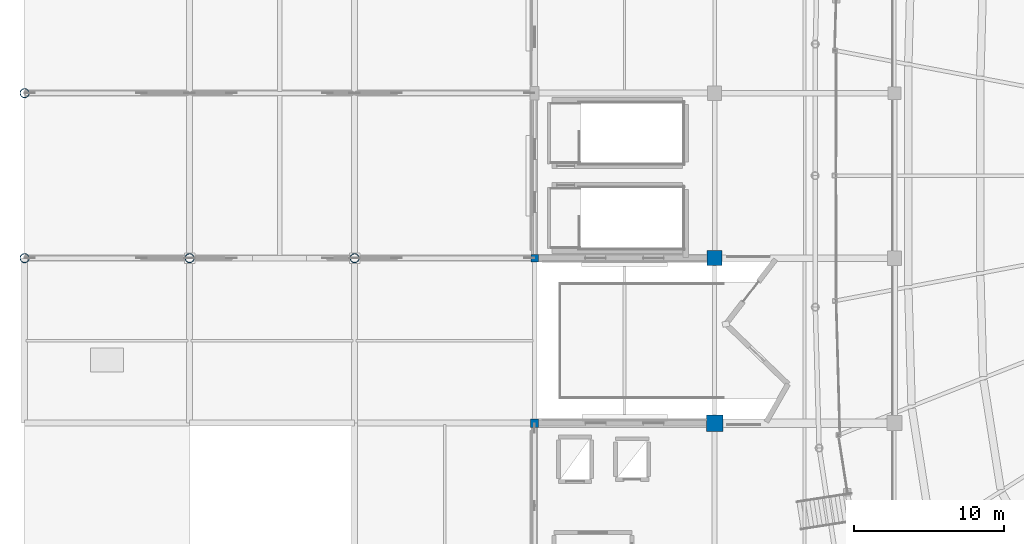
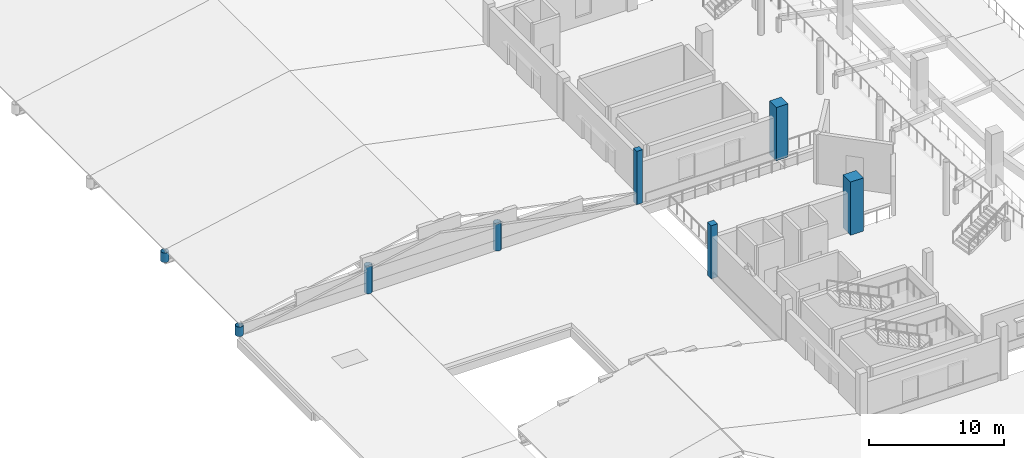
# One storey, part 3 of 77: 8 columns.
"""IFC4 building model written with IfcOpenShell, lengths in metres."""

from ifc_helpers import new_model, si_unit, direction, frame, origin, origin_2d, place, context, subcontext, project, spatial, rectangle, hollow_circle, extrude, material, material_profile, profile_set, type_object, element, save


model = new_model("IFC4")

# Units and contexts
model_context = context("Model", 3, precision=1e-05, world=origin(), true_north=direction((0.0, 1.0)))
body_context = subcontext(model_context, "Body", "Model", "MODEL_VIEW")
ifc_project = project(units=[si_unit("LENGTHUNIT", "METRE"), si_unit("AREAUNIT", "SQUARE_METRE"), si_unit("VOLUMEUNIT", "CUBIC_METRE"), si_unit("PLANEANGLEUNIT", "RADIAN"), si_unit("MASSUNIT", "GRAM", prefix="KILO")], contexts=[model_context])

# Site, building, storey
site_placement = place(None, origin())
site = spatial("IfcSite", under=ifc_project, at=site_placement, CompositionType="ELEMENT")
building_placement = place(site_placement, origin())
building = spatial("IfcBuilding", under=site, at=building_placement, Name="Luwafu Chhajja Arena", CompositionType="ELEMENT")
storey_placement = place(building_placement, frame((0.0, 0.0, 14.699951171875)))
storey = spatial("IfcBuildingStorey", under=building, at=storey_placement, Name="L03", CompositionType="ELEMENT", Elevation=14.699951171875)

# Columns
ifc_material_1 = material(Name="Concrete C40/50", Category="concrete")
ifc_material_profile_1 = material_profile(ifc_material_1, rectangle(XDim=1.0, YDim=1.0, at=origin_2d()), Name="RC 1000x1000")
ifc_profile_set_1 = profile_set([ifc_material_profile_1], Name="Concrete C40/50")
column_type_1 = type_object("IfcColumnType", Name="Bowl Primary Column RC 1000", PredefinedType="COLUMN", material=ifc_profile_set_1)
column_1_placement = place(storey_placement, frame((46.0, 44.0, 0.0), z_axis=(0.0, 0.0, 1.0), x_axis=(1.0, 0.0, 0.0)))
element("IfcColumn", 1, at=column_1_placement, inside=storey, type_object=column_type_1, Name="L03 Grid Column 5/E", PredefinedType="COLUMN", context=body_context, shape_type="SweptSolid", body=[
    extrude(rectangle(XDim=1.0, YDim=1.0, at=origin_2d()), origin(), (0.0, 0.0, 1.0), 4.800048828125),
])
ifc_material_profile_2 = material_profile(ifc_material_1, rectangle(XDim=1.10009765625, YDim=1.10009765625, at=origin_2d()), Name="RC 1100x1100")
ifc_profile_set_2 = profile_set([ifc_material_profile_2], Name="Concrete C40/50")
column_type_2 = type_object("IfcColumnType", Name="Bowl Rim Mega Column RC 1100", PredefinedType="COLUMN", material=ifc_profile_set_2)
column_2_placement = place(storey_placement, frame((46.0, 33.0, 0.0), z_axis=(0.0, 0.0, 1.0), x_axis=(1.0, 0.0, 0.0)))
element("IfcColumn", 2, at=column_2_placement, inside=storey, type_object=column_type_2, Name="L03 Grid Column 5/D", PredefinedType="COLUMN", context=body_context, shape_type="SweptSolid", body=[
    extrude(rectangle(XDim=1.10009765625, YDim=1.10009765625, at=origin_2d()), origin(), (0.0, 0.0, 1.0), 4.800048828125),
])
ifc_material_2 = material(Name="Concrete C35/45", Category="concrete")
ifc_material_profile_3 = material_profile(ifc_material_2, rectangle(XDim=0.550048828125, YDim=0.550048828125, at=origin_2d()), Name="RC 550x550")
ifc_profile_set_3 = profile_set([ifc_material_profile_3], Name="Concrete C35/45")
column_type_3 = type_object("IfcColumnType", Name="Gallery Column RC 550", PredefinedType="COLUMN", material=ifc_profile_set_3)
column_3_placement = place(storey_placement, frame((34.0, 33.0, 0.0), z_axis=(0.0, 0.0, 1.0), x_axis=(1.0, 0.0, 0.0)))
element("IfcColumn", 3, at=column_3_placement, inside=storey, type_object=column_type_3, Name="L03 Grid Column 4/D", PredefinedType="COLUMN", context=body_context, shape_type="SweptSolid", body=[
    extrude(rectangle(XDim=0.550048828125, YDim=0.550048828125, at=origin_2d()), origin(), (0.0, 0.0, 1.0), 4.800048828125),
])
ifc_material_profile_4 = material_profile(ifc_material_2, rectangle(XDim=0.5, YDim=0.5, at=origin_2d()), Name="RC 500x500")
ifc_profile_set_4 = profile_set([ifc_material_profile_4], Name="Concrete C35/45")
column_type_4 = type_object("IfcColumnType", Name="Pavilion Column RC 500", PredefinedType="COLUMN", material=ifc_profile_set_4)
column_4_placement = place(storey_placement, frame((34.0, 44.0, 0.0), z_axis=(0.0, 0.0, 1.0), x_axis=(1.0, 0.0, 0.0)))
element("IfcColumn", 4, at=column_4_placement, inside=storey, type_object=column_type_4, Name="L03 Grid Column 4/E", PredefinedType="COLUMN", context=body_context, shape_type="SweptSolid", body=[
    extrude(rectangle(XDim=0.5, YDim=0.5, at=origin_2d()), origin(), (0.0, 0.0, 1.0), 4.800048828125),
])
ifc_material_3 = material(Name="Steel S355", Category="steel")
ifc_material_profile_5 = material_profile(ifc_material_3, hollow_circle(Radius=0.304931640625, WallThickness=0.02490234375, at=origin_2d()), Name="CHS 610x25")
ifc_profile_set_5 = profile_set([ifc_material_profile_5], Name="Steel S355")
column_type_5 = type_object("IfcColumnType", Name="Steel Bowl Drum Column CHS 610", PredefinedType="COLUMN", material=ifc_profile_set_5)
column_5_placement = place(storey_placement, frame((0.0, 44.0, 0.0), z_axis=(0.0, 0.0, 1.0), x_axis=(1.0, 0.0, 0.0)))
element("IfcColumn", 5, at=column_5_placement, inside=storey, type_object=column_type_5, Name="Warm-Up Truss 01 West Pedestal", PredefinedType="COLUMN", context=body_context, shape_type="SweptSolid", body=[
    extrude(hollow_circle(Radius=0.304931640625, WallThickness=0.02490234375, at=origin_2d()), origin(), (0.0, 0.0, 1.0), 0.85009765625),
])
for number, where, z_axis, x_axis, name in (
    (6, (11.0, 44.0, 0.0), (0.0, 0.0, 1.0), (1.0, 0.0, 0.0), "Warm-Up Gable Spine Column 2/E"),
    (7, (22.0, 44.0, 0.0), (0.0, 0.0, 1.0), (1.0, 0.0, 0.0), "Warm-Up Gable Spine Column 3/E"),
):
    element("IfcColumn", number, at=place(storey_placement, frame(where, z_axis=z_axis, x_axis=x_axis)), inside=storey, type_object=column_type_5, Name=name, PredefinedType="COLUMN", context=body_context, shape_type="SweptSolid", body=[
        extrude(hollow_circle(Radius=0.304931640625, WallThickness=0.02490234375, at=origin_2d()), origin(), (0.0, 0.0, 1.0), 2.449951171875),
    ])
column_6_placement = place(storey_placement, frame((0.0, 55.0, 0.0), z_axis=(0.0, 0.0, 1.0), x_axis=(1.0, 0.0, 0.0)))
element("IfcColumn", 8, at=column_6_placement, inside=storey, type_object=column_type_5, Name="Warm-Up Truss 02 West Pedestal", PredefinedType="COLUMN", context=body_context, shape_type="SweptSolid", body=[
    extrude(hollow_circle(Radius=0.304931640625, WallThickness=0.02490234375, at=origin_2d()), origin(), (0.0, 0.0, 1.0), 0.85009765625),
])

save(model, "model.ifc")
